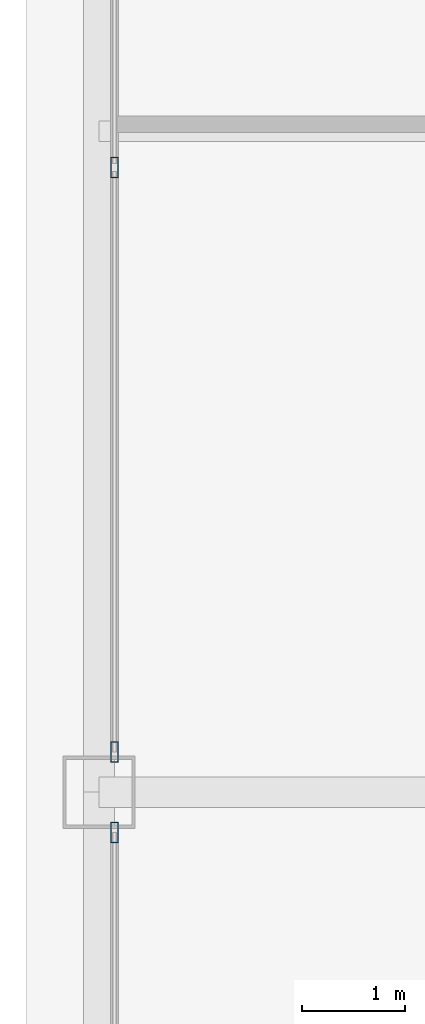
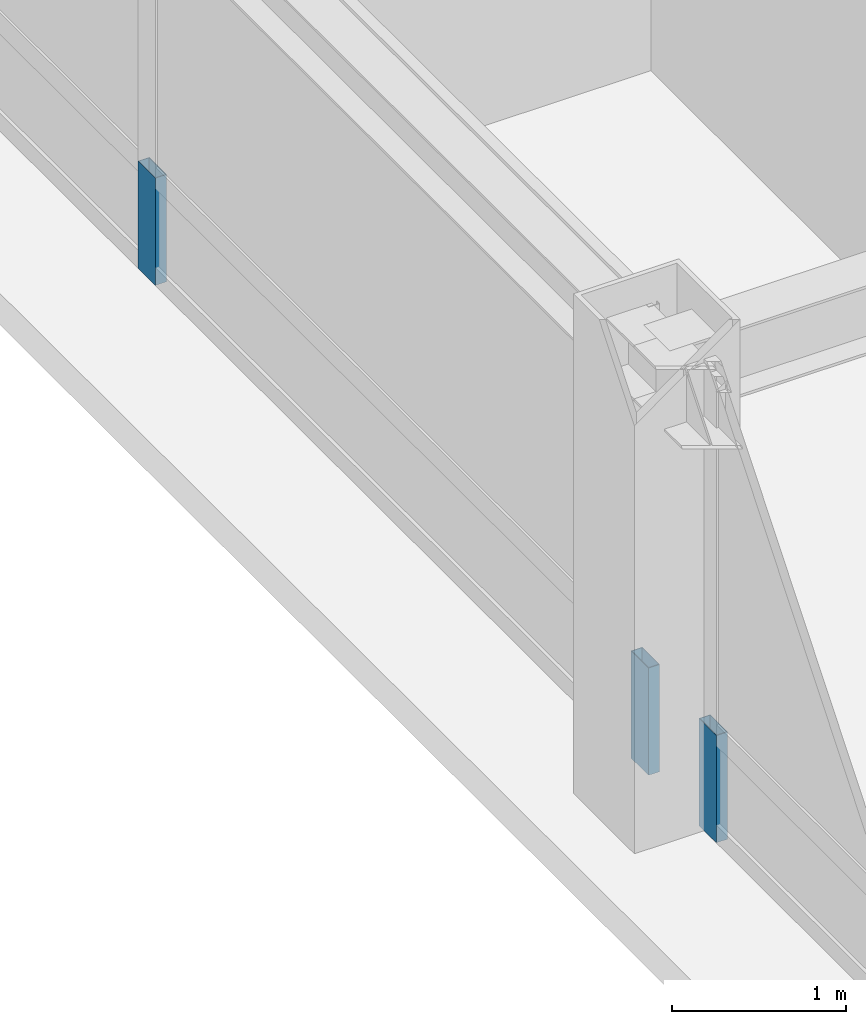
# One storey, part 23 of 35: 3 members, 2 elements without a shape of their own.
"""IFC4 building model written with IfcOpenShell, lengths in metres."""

from ifc_helpers import new_model, si_unit, direction, frame, origin, origin_2d, place, context, subcontext, project, spatial, hollow_rectangle, extrude, source, transform, mapped, material, layer, layer_set, material_profile, profile_set, type_object, element, aggregate, save


model = new_model("IFC4")

# Units and contexts
model_context = context("Model", 3, precision=1e-05, world=origin(), true_north=direction((0.0, 1.0)))
body_context = subcontext(model_context, "Body", "Model", "MODEL_VIEW")
ifc_project = project(units=[si_unit("LENGTHUNIT", "METRE"), si_unit("AREAUNIT", "SQUARE_METRE"), si_unit("VOLUMEUNIT", "CUBIC_METRE"), si_unit("PLANEANGLEUNIT", "RADIAN"), si_unit("MASSUNIT", "GRAM", prefix="KILO"), si_unit("THERMODYNAMICTEMPERATUREUNIT", "KELVIN"), si_unit("POWERUNIT", "WATT")], contexts=[model_context])

# Site, building, storey
site_placement = place(None, origin())
site = spatial("IfcSite", under=ifc_project, at=site_placement, CompositionType="ELEMENT")
building_placement = place(site_placement, origin())
building = spatial("IfcBuilding", under=site, at=building_placement, Name="Yuzanri Waterfront Tower", CompositionType="ELEMENT")
storey_placement = place(building_placement, frame((0.0, 0.0, 314.699951171875)))
storey = spatial("IfcBuildingStorey", under=building, at=storey_placement, Name="L84", CompositionType="ELEMENT", Elevation=314.699951171875)

# Curtain wall, member
ifc_material_1 = material(Name="Anodized Architectural Bronze", Category="metal")
ifc_layer = layer(ifc_material_1, 0.159912109375)
ifc_layer_set = layer_set([ifc_layer], Name="Anodized Architectural Bronze")
curtain_wall_type = type_object("IfcCurtainWallType", Name="Anodized Bronze High-Rise Penthouse High-Wind Unitized Curtain Wall 6900", PredefinedType="NOTDEFINED", material=ifc_layer_set)
curtain_wall_1_placement = place(storey_placement, origin())
curtain_wall_1 = element("IfcCurtainWall", 1, at=curtain_wall_1_placement, inside=storey, type_object=curtain_wall_type, Name="L84 Curtain Wall CW-L84-WL", PredefinedType="NOTDEFINED")
ifc_material_2 = material(Name="Anodized Architectural Bronze", Category="metal")
ifc_material_profile = material_profile(ifc_material_2, hollow_rectangle(XDim=0.074951171875, YDim=0.199951171875, WallThickness=0.00390625, at=origin_2d()), Name="CWM 75x200")
ifc_profile_set = profile_set([ifc_material_profile], Name="Anodized Architectural Bronze")
member_type = type_object("IfcMemberType", Name="Anodized Bronze Primary Curtain-Wall Mullion 75x200", PredefinedType="MULLION", material=ifc_profile_set)
shared_shape = source(origin(), body_context, "Body", "SweptSolid", [
    extrude(hollow_rectangle(XDim=0.074951171875, YDim=0.199951171875, WallThickness=0.00390625, at=origin_2d()), origin(), (0.0, 0.0, 1.0), 0.751953125),
])
member_1_placement = place(storey_placement, frame((18.050048828125, 25.409912109375, 0.0), z_axis=(0.0, 0.0, 1.0), x_axis=(1.0, 0.0, 0.0)))
member_1 = element("IfcMember", 2, at=member_1_placement, type_object=member_type, Name="CW-L84-WL Lower Mullion 02", PredefinedType="MULLION", context=body_context, shape_type="MappedRepresentation", body=[
    mapped(shared_shape, transform((0.0, 0.0, 0.0), scale=1.0)),
])
aggregate(curtain_wall_1, [member_1])

# Curtain wall, members
curtain_wall_2_placement = place(storey_placement, origin())
curtain_wall_2 = element("IfcCurtainWall", 3, at=curtain_wall_2_placement, inside=storey, type_object=curtain_wall_type, Name="L84 Curtain Wall CW-L84-WR", PredefinedType="NOTDEFINED")
member_2_placement = place(storey_placement, frame((18.050048828125, 26.18994140625, 0.0), z_axis=(0.0, 0.0, 1.0), x_axis=(1.0, 0.0, 0.0)))
member_2 = element("IfcMember", 4, at=member_2_placement, type_object=member_type, Name="CW-L84-WR Lower Mullion 00", PredefinedType="MULLION", context=body_context, shape_type="MappedRepresentation", body=[
    mapped(shared_shape, transform((0.0, 0.0, 0.0), scale=1.0)),
])
member_3_placement = place(storey_placement, frame((18.050048828125, 31.85009765625, 0.0), z_axis=(0.0, 0.0, 1.0), x_axis=(1.0, 0.0, 0.0)))
member_3 = element("IfcMember", 5, at=member_3_placement, type_object=member_type, Name="CW-L84-WR Lower Mullion 01", PredefinedType="MULLION", context=body_context, shape_type="MappedRepresentation", body=[
    mapped(shared_shape, transform((0.0, 0.0, 0.0), scale=1.0)),
])
aggregate(curtain_wall_2, [member_2, member_3])

save(model, "model.ifc")
